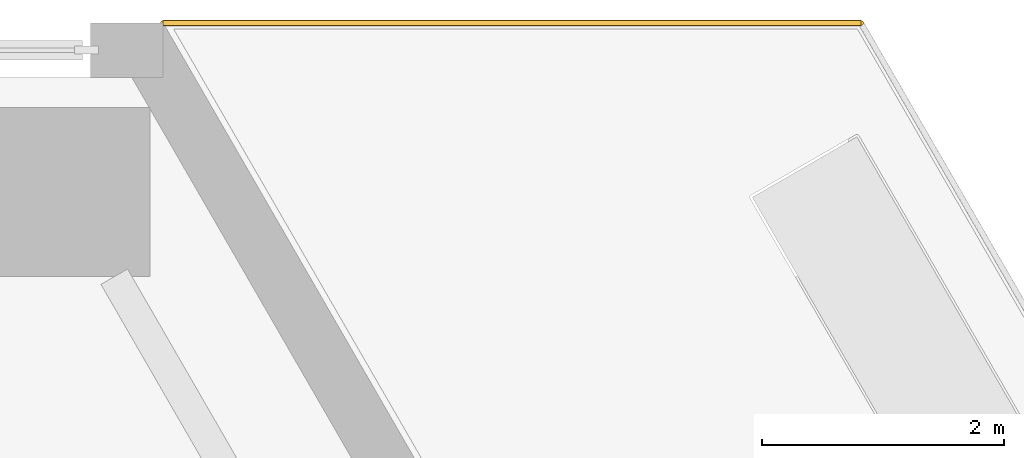
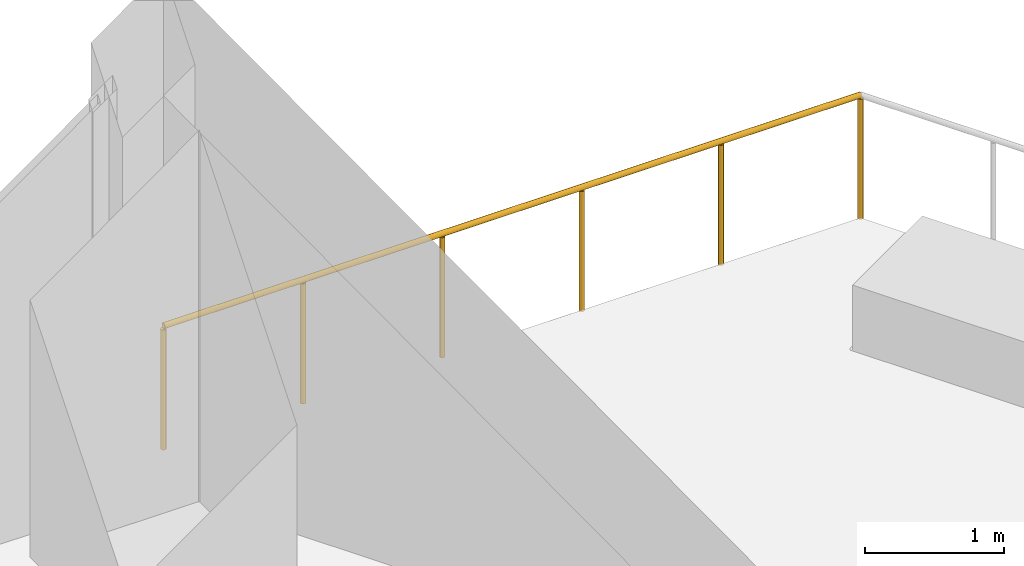
# One storey, part 31 of 31: 1 railing.
"""IFC4 building model written with IfcOpenShell, lengths in metres."""

from ifc_helpers import new_model, si_unit, direction, frame, origin, origin_2d, place, context, subcontext, project, spatial, circle, extrude, material, type_object, element, save


model = new_model("IFC4")

# Units and contexts
model_context = context("Model", 3, precision=1e-05, world=origin(), true_north=direction((0.0, 1.0)))
body_context = subcontext(model_context, "Body", "Model", "MODEL_VIEW")
ifc_project = project(units=[si_unit("LENGTHUNIT", "METRE"), si_unit("AREAUNIT", "SQUARE_METRE"), si_unit("VOLUMEUNIT", "CUBIC_METRE"), si_unit("PLANEANGLEUNIT", "RADIAN"), si_unit("MASSUNIT", "GRAM", prefix="KILO")], contexts=[model_context])

# Site, building, storey
site_placement = place(None, origin())
site = spatial("IfcSite", under=ifc_project, at=site_placement, CompositionType="ELEMENT")
building_placement = place(site_placement, origin())
building = spatial("IfcBuilding", under=site, at=building_placement, Name="Aloe Facet Convention Tower", CompositionType="ELEMENT")
storey_placement = place(building_placement, frame((0.0, 0.0, 25.0)))
storey = spatial("IfcBuildingStorey", under=building, at=storey_placement, Name="L04", CompositionType="ELEMENT", Elevation=25.0)

# Railing
ifc_material = material(Name="Steel S355, bronze oxide finish", Category="steel")
railing_type = type_object("IfcRailingType", Name="EV-GUARD-TERR", PredefinedType="GUARDRAIL", material=ifc_material)
railing_placement = place(storey_placement, frame((113.947021484375, 135.0, 0.0)))
element("IfcRailing", 1, at=railing_placement, inside=storey, type_object=railing_type, Name="GUARD PT-L04-1-2", PredefinedType="GUARDRAIL", context=body_context, shape_type="SweptSolid", body=[
    extrude(circle(Radius=0.02392578125, at=origin_2d()), frame((0.0, 0.0, 1.076171875), z_axis=(1.0, 0.0, 0.0), x_axis=(0.0, 1.0, 0.0)), (0.0, 0.0, 1.0), 5.7734375),
    extrude(circle(Radius=0.02099609375, at=origin_2d()), origin(), (0.0, 0.0, 1.0), 1.052001953125),
    extrude(circle(Radius=0.02099609375, at=origin_2d()), frame((1.15478515625, 0.0, 0.0)), (0.0, 0.0, 1.0), 1.052001953125),
    extrude(circle(Radius=0.02099609375, at=origin_2d()), frame((2.309326171875, 0.0, 0.0)), (0.0, 0.0, 1.0), 1.052001953125),
    extrude(circle(Radius=0.02099609375, at=origin_2d()), frame((3.464111328125, 0.0, 0.0)), (0.0, 0.0, 1.0), 1.052001953125),
    extrude(circle(Radius=0.02099609375, at=origin_2d()), frame((4.61865234375, 0.0, 0.0)), (0.0, 0.0, 1.0), 1.052001953125),
    extrude(circle(Radius=0.02099609375, at=origin_2d()), frame((5.7734375, 0.0, 0.0)), (0.0, 0.0, 1.0), 1.052001953125),
])

save(model, "model.ifc")
